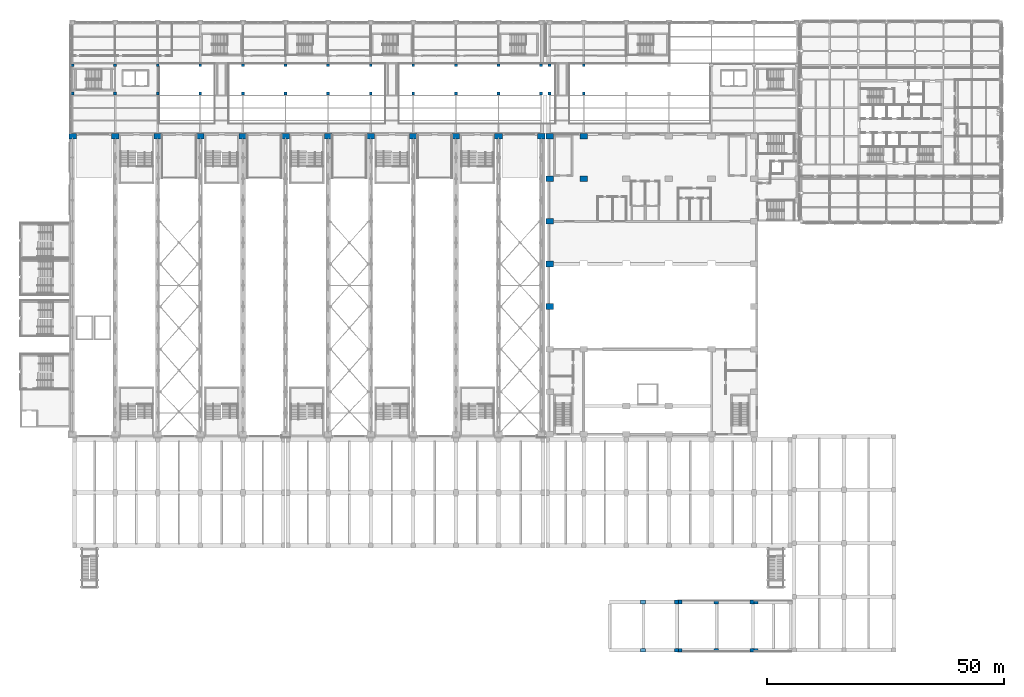
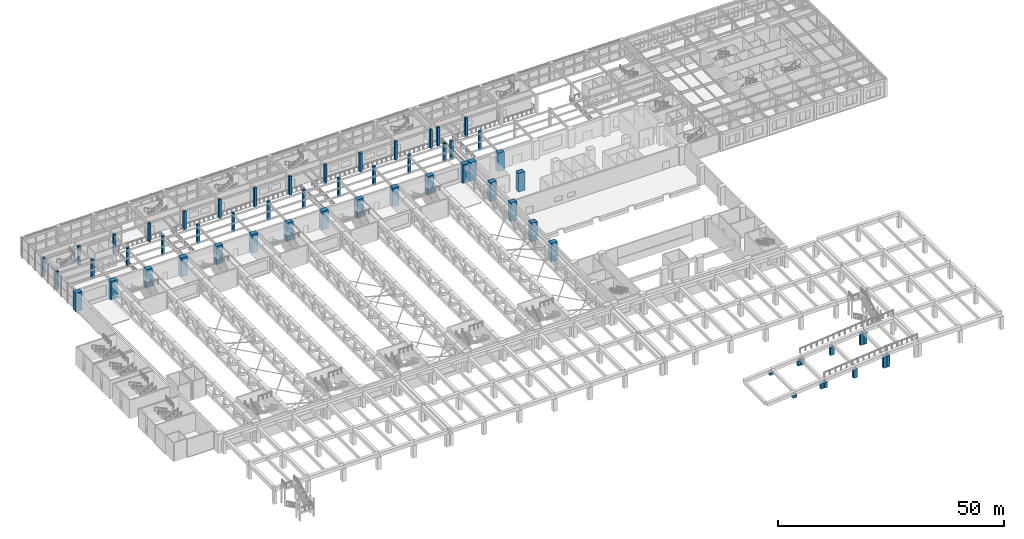
# One storey, part 2 of 76: 59 columns.
"""IFC4 building model written with IfcOpenShell, lengths in metres."""

from ifc_helpers import new_model, si_unit, direction, frame, origin, origin_2d, place, context, subcontext, project, spatial, rectangle, extrude, material, material_profile, profile_set, type_object, element, save


model = new_model("IFC4")

# Units and contexts
model_context = context("Model", 3, precision=1e-05, world=origin(), true_north=direction((0.0, 1.0)))
body_context = subcontext(model_context, "Body", "Model", "MODEL_VIEW")
ifc_project = project(units=[si_unit("LENGTHUNIT", "METRE"), si_unit("AREAUNIT", "SQUARE_METRE"), si_unit("VOLUMEUNIT", "CUBIC_METRE"), si_unit("PLANEANGLEUNIT", "RADIAN"), si_unit("MASSUNIT", "GRAM", prefix="KILO")], contexts=[model_context])

# Site, building, storey
site_placement = place(None, origin())
site = spatial("IfcSite", under=ifc_project, at=site_placement, CompositionType="ELEMENT")
building_placement = place(site_placement, origin())
building = spatial("IfcBuilding", under=site, at=building_placement, Name="Aravalli Gate Trade Fair Centre", CompositionType="ELEMENT")
storey_placement = place(building_placement, frame((0.0, 0.0, 10.0)))
storey = spatial("IfcBuildingStorey", under=building, at=storey_placement, Name="L02", CompositionType="ELEMENT", Elevation=10.0)

# Columns
ifc_material = material(Name="Concrete M45", Category="concrete")
ifc_material_profile_1 = material_profile(ifc_material, rectangle(XDim=1.60009765625, YDim=1.199951171875, at=origin_2d()), Name="RC 1600x1200")
ifc_profile_set_1 = profile_set([ifc_material_profile_1], Name="Concrete M45")
column_type_1 = type_object("IfcColumnType", Name="Congress RC column 1600 x 1200", PredefinedType="COLUMN", material=ifc_profile_set_1)
for number, where, z_axis, x_axis, name in (
    (1, (106.800048828125, 73.0, 0.0), (0.0, 0.0, 1.0), (1.0, 0.0, 0.0), "Congress column 106.8/73 L02"),
    (2, (106.800048828125, 82.0, 0.0), (0.0, 0.0, 1.0), (1.0, 0.0, 0.0), "Congress column 106.8/82 L02"),
    (3, (106.800048828125, 91.0, 0.0), (0.0, 0.0, 1.0), (1.0, 0.0, 0.0), "Congress column 106.8/91 L02"),
    (4, (106.800048828125, 100.0, 0.0), (0.0, 0.0, 1.0), (1.0, 0.0, 0.0), "Congress column 106.8/100 L02"),
    (5, (106.800048828125, 109.0, 0.0), (0.0, 0.0, 1.0), (1.0, 0.0, 0.0), "Congress column 106.8/109 L02"),
    (6, (114.0, 109.0, 0.0), (0.0, 0.0, 1.0), (1.0, 0.0, 0.0), "Congress column 114.0/109 L02"),
):
    element("IfcColumn", number, at=place(storey_placement, frame(where, z_axis=z_axis, x_axis=x_axis)), inside=storey, type_object=column_type_1, Name=name, PredefinedType="COLUMN", context=body_context, shape_type="SweptSolid", body=[
        extrude(rectangle(XDim=1.60009765625, YDim=1.199951171875, at=origin_2d()), origin(), (0.0, 0.0, 1.0), 5.0),
    ])
ifc_material_profile_2 = material_profile(ifc_material, rectangle(XDim=1.60009765625, YDim=1.199951171875, at=origin_2d()), Name="RC 1600x1200")
ifc_profile_set_2 = profile_set([ifc_material_profile_2], Name="Concrete M45")
column_type_2 = type_object("IfcColumnType", Name="Congress RC column 1600 x 1200, heavy stack", PredefinedType="COLUMN", material=ifc_profile_set_2)
column_placement = place(storey_placement, frame((114.0, 100.0, 0.0), z_axis=(0.0, 0.0, 1.0), x_axis=(1.0, 0.0, 0.0)))
element("IfcColumn", 7, at=column_placement, inside=storey, type_object=column_type_2, Name="Congress column 114.0/100 L02", PredefinedType="COLUMN", context=body_context, shape_type="SweptSolid", body=[
    extrude(rectangle(XDim=1.60009765625, YDim=1.199951171875, at=origin_2d()), origin(), (0.0, 0.0, 1.0), 5.0),
])
ifc_material_profile_3 = material_profile(ifc_material, rectangle(XDim=1.60009765625, YDim=1.199951171875, at=origin_2d()), Name="RC 1600x1200")
ifc_profile_set_3 = profile_set([ifc_material_profile_3], Name="Concrete M45")
column_type_3 = type_object("IfcColumnType", Name="Hall end-line spine column HC2", PredefinedType="COLUMN", material=ifc_profile_set_3)
for number, where, z_axis, x_axis, name in (
    (8, (6.0, 109.0, 0.0), (0.0, 0.0, 1.0), (1.0, 0.0, 0.0), "Spine column H1 L02"),
    (9, (105.0, 109.0, 0.0), (0.0, 0.0, 1.0), (1.0, 0.0, 0.0), "Spine column H12 L02"),
):
    element("IfcColumn", number, at=place(storey_placement, frame(where, z_axis=z_axis, x_axis=x_axis)), inside=storey, type_object=column_type_3, Name=name, PredefinedType="COLUMN", context=body_context, shape_type="SweptSolid", body=[
        extrude(rectangle(XDim=1.60009765625, YDim=1.199951171875, at=origin_2d()), origin(), (0.0, 0.0, 1.0), 5.0),
    ])
ifc_material_profile_4 = material_profile(ifc_material, rectangle(XDim=1.60009765625, YDim=1.199951171875, at=origin_2d()), Name="RC 1600x1200")
ifc_profile_set_4 = profile_set([ifc_material_profile_4], Name="Concrete M45")
column_type_4 = type_object("IfcColumnType", Name="Hall spine column HC1", PredefinedType="COLUMN", material=ifc_profile_set_4)
for number, where, z_axis, x_axis, name in (
    (10, (15.0, 109.0, 0.0), (0.0, 0.0, 1.0), (1.0, 0.0, 0.0), "Spine column H2 L02"),
    (11, (24.0, 109.0, 0.0), (0.0, 0.0, 1.0), (1.0, 0.0, 0.0), "Spine column H3 L02"),
    (12, (33.0, 109.0, 0.0), (0.0, 0.0, 1.0), (1.0, 0.0, 0.0), "Spine column H4 L02"),
    (13, (42.0, 109.0, 0.0), (0.0, 0.0, 1.0), (1.0, 0.0, 0.0), "Spine column H5 L02"),
    (14, (51.0, 109.0, 0.0), (0.0, 0.0, 1.0), (1.0, 0.0, 0.0), "Spine column H6 L02"),
    (15, (60.0, 109.0, 0.0), (0.0, 0.0, 1.0), (1.0, 0.0, 0.0), "Spine column H7 L02"),
    (16, (69.0, 109.0, 0.0), (0.0, 0.0, 1.0), (1.0, 0.0, 0.0), "Spine column H8 L02"),
    (17, (78.0, 109.0, 0.0), (0.0, 0.0, 1.0), (1.0, 0.0, 0.0), "Spine column H9 L02"),
    (18, (87.0, 109.0, 0.0), (0.0, 0.0, 1.0), (1.0, 0.0, 0.0), "Spine column H10 L02"),
    (19, (96.0, 109.0, 0.0), (0.0, 0.0, 1.0), (1.0, 0.0, 0.0), "Spine column H11 L02"),
):
    element("IfcColumn", number, at=place(storey_placement, frame(where, z_axis=z_axis, x_axis=x_axis)), inside=storey, type_object=column_type_4, Name=name, PredefinedType="COLUMN", context=body_context, shape_type="SweptSolid", body=[
        extrude(rectangle(XDim=1.60009765625, YDim=1.199951171875, at=origin_2d()), origin(), (0.0, 0.0, 1.0), 5.0),
    ])
ifc_material_profile_5 = material_profile(ifc_material, rectangle(XDim=0.60009765625, YDim=0.60009765625, at=origin_2d()), Name="RC column 600 x 600")
ifc_profile_set_5 = profile_set([ifc_material_profile_5], Name="Concrete M45")
column_type_5 = type_object("IfcColumnType", Name="RC column 600 x 600", PredefinedType="COLUMN", material=ifc_profile_set_5)
for number, where, z_axis, x_axis, name in (
    (20, (6.0, 118.0, 0.0), (0.0, 0.0, 1.0), (1.0, 0.0, 0.0), "Concourse column S01 L02"),
    (21, (6.0, 124.0, 0.0), (0.0, 0.0, 1.0), (1.0, 0.0, 0.0), "Concourse column N01 L02"),
    (22, (15.0, 118.0, 0.0), (0.0, 0.0, 1.0), (1.0, 0.0, 0.0), "Concourse column S02 L02"),
    (23, (15.0, 124.0, 0.0), (0.0, 0.0, 1.0), (1.0, 0.0, 0.0), "Concourse column N02 L02"),
    (24, (24.0, 118.0, 0.0), (0.0, 0.0, 1.0), (1.0, 0.0, 0.0), "Concourse column S03 L02"),
    (25, (24.0, 124.0, 0.0), (0.0, 0.0, 1.0), (1.0, 0.0, 0.0), "Concourse column N03 L02"),
    (26, (33.0, 118.0, 0.0), (0.0, 0.0, 1.0), (1.0, 0.0, 0.0), "Concourse column S04 L02"),
    (27, (33.0, 124.0, 0.0), (0.0, 0.0, 1.0), (1.0, 0.0, 0.0), "Concourse column N04 L02"),
    (28, (42.0, 118.0, 0.0), (0.0, 0.0, 1.0), (1.0, 0.0, 0.0), "Concourse column S05 L02"),
    (29, (42.0, 124.0, 0.0), (0.0, 0.0, 1.0), (1.0, 0.0, 0.0), "Concourse column N05 L02"),
    (30, (51.0, 118.0, 0.0), (0.0, 0.0, 1.0), (1.0, 0.0, 0.0), "Concourse column S06 L02"),
    (31, (51.0, 124.0, 0.0), (0.0, 0.0, 1.0), (1.0, 0.0, 0.0), "Concourse column N06 L02"),
    (32, (60.0, 118.0, 0.0), (0.0, 0.0, 1.0), (1.0, 0.0, 0.0), "Concourse column S07 L02"),
    (33, (60.0, 124.0, 0.0), (0.0, 0.0, 1.0), (1.0, 0.0, 0.0), "Concourse column N07 L02"),
    (34, (69.0, 118.0, 0.0), (0.0, 0.0, 1.0), (1.0, 0.0, 0.0), "Concourse column S08 L02"),
    (35, (69.0, 124.0, 0.0), (0.0, 0.0, 1.0), (1.0, 0.0, 0.0), "Concourse column N08 L02"),
    (36, (78.0, 118.0, 0.0), (0.0, 0.0, 1.0), (1.0, 0.0, 0.0), "Concourse column S09 L02"),
    (37, (78.0, 124.0, 0.0), (0.0, 0.0, 1.0), (1.0, 0.0, 0.0), "Concourse column N09 L02"),
    (38, (87.0, 118.0, 0.0), (0.0, 0.0, 1.0), (1.0, 0.0, 0.0), "Concourse column S10 L02"),
    (39, (87.0, 124.0, 0.0), (0.0, 0.0, 1.0), (1.0, 0.0, 0.0), "Concourse column N10 L02"),
    (40, (96.0, 118.0, 0.0), (0.0, 0.0, 1.0), (1.0, 0.0, 0.0), "Concourse column S11 L02"),
    (41, (96.0, 124.0, 0.0), (0.0, 0.0, 1.0), (1.0, 0.0, 0.0), "Concourse column N11 L02"),
    (42, (105.0, 118.0, 0.0), (0.0, 0.0, 1.0), (1.0, 0.0, 0.0), "Concourse column S12 L02"),
    (43, (105.0, 124.0, 0.0), (0.0, 0.0, 1.0), (1.0, 0.0, 0.0), "Concourse column N12 L02"),
    (44, (106.800048828125, 118.0, 0.0), (0.0, 0.0, 1.0), (1.0, 0.0, 0.0), "Concourse column S12A L02"),
    (45, (106.800048828125, 124.0, 0.0), (0.0, 0.0, 1.0), (1.0, 0.0, 0.0), "Concourse column N12A L02"),
    (46, (114.0, 118.0, 0.0), (0.0, 0.0, 1.0), (1.0, 0.0, 0.0), "Concourse column S13 L02"),
    (47, (114.0, 124.0, 0.0), (0.0, 0.0, 1.0), (1.0, 0.0, 0.0), "Concourse column N13 L02"),
):
    element("IfcColumn", number, at=place(storey_placement, frame(where, z_axis=z_axis, x_axis=x_axis)), inside=storey, type_object=column_type_5, Name=name, PredefinedType="COLUMN", context=body_context, shape_type="SweptSolid", body=[
        extrude(rectangle(XDim=0.60009765625, YDim=0.60009765625, at=origin_2d()), origin(), (0.0, 0.0, 1.0), 5.0),
    ])
ifc_material_profile_6 = material_profile(ifc_material, rectangle(XDim=1.0, YDim=0.800048828125, at=origin_2d()), Name="Ramp column RC 1000 x 800")
ifc_profile_set_6 = profile_set([ifc_material_profile_6], Name="Concrete M45")
column_type_6 = type_object("IfcColumnType", Name="Ramp column RC 1000 x 800", PredefinedType="COLUMN", material=ifc_profile_set_6)
for number, where, z_axis, x_axis, name in (
    (48, (126.548095703125, 0.39990234375, 0.0), (0.0, 0.0, 1.0), (1.0, 0.0, 0.0), "Ramp column col.ramp.RA1-F2.4.5S L02"),
    (49, (126.548095703125, 10.60009765625, 0.0), (0.0, 0.0, 1.0), (1.0, 0.0, 0.0), "Ramp column col.ramp.RA1-F2.4.5N L02"),
):
    element("IfcColumn", number, at=place(storey_placement, frame(where, z_axis=z_axis, x_axis=x_axis)), inside=storey, type_object=column_type_6, Name=name, PredefinedType="COLUMN", context=body_context, shape_type="SweptSolid", body=[
        extrude(rectangle(XDim=1.0, YDim=0.800048828125, at=origin_2d()), origin(), (0.0, 0.0, 1.0), 0.707275390625),
    ])
for number, where, z_axis, x_axis, name in (
    (50, (142.0, 0.39990234375, 0.0), (0.0, 0.0, 1.0), (1.0, 0.0, 0.0), "Ramp column col.ramp.RA1-F2.5.2S L02"),
    (51, (142.0, 10.60009765625, 0.0), (0.0, 0.0, 1.0), (1.0, 0.0, 0.0), "Ramp column col.ramp.RA1-F2.5.2N L02"),
):
    element("IfcColumn", number, at=place(storey_placement, frame(where, z_axis=z_axis, x_axis=x_axis)), inside=storey, type_object=column_type_6, Name=name, PredefinedType="COLUMN", context=body_context, shape_type="SweptSolid", body=[
        extrude(rectangle(XDim=1.0, YDim=0.800048828125, at=origin_2d()), origin(), (0.0, 0.0, 1.0), 2.25244140625),
    ])
ifc_material_profile_7 = material_profile(ifc_material, rectangle(XDim=0.800048828125, YDim=0.800048828125, at=origin_2d()), Name="Ramp column RC 800 x 800")
ifc_profile_set_7 = profile_set([ifc_material_profile_7], Name="Concrete M45")
column_type_7 = type_object("IfcColumnType", Name="Ramp column RC 800 x 800", PredefinedType="COLUMN", material=ifc_profile_set_7)
for number, where, z_axis, x_axis, name in (
    (52, (133.580078125, 0.39990234375, 0.0), (0.0, 0.0, 1.0), (1.0, 0.0, 0.0), "Ramp column col.ramp.RA1-F2.4.6S L02"),
    (53, (133.580078125, 10.60009765625, 0.0), (0.0, 0.0, 1.0), (1.0, 0.0, 0.0), "Ramp column col.ramp.RA1-F2.4.6N L02"),
):
    element("IfcColumn", number, at=place(storey_placement, frame(where, z_axis=z_axis, x_axis=x_axis)), inside=storey, type_object=column_type_7, Name=name, PredefinedType="COLUMN", context=body_context, shape_type="SweptSolid", body=[
        extrude(rectangle(XDim=0.800048828125, YDim=0.800048828125, at=origin_2d()), origin(), (0.0, 0.0, 1.0), 1.410400390625),
    ])
for number, where, z_axis, x_axis, name in (
    (54, (134.419921875, 0.39990234375, 0.0), (0.0, 0.0, 1.0), (1.0, 0.0, 0.0), "Ramp column col.ramp.RA1-F2.5.1S L02"),
    (55, (134.419921875, 10.60009765625, 0.0), (0.0, 0.0, 1.0), (1.0, 0.0, 0.0), "Ramp column col.ramp.RA1-F2.5.1N L02"),
):
    element("IfcColumn", number, at=place(storey_placement, frame(where, z_axis=z_axis, x_axis=x_axis)), inside=storey, type_object=column_type_7, Name=name, PredefinedType="COLUMN", context=body_context, shape_type="SweptSolid", body=[
        extrude(rectangle(XDim=0.800048828125, YDim=0.800048828125, at=origin_2d()), origin(), (0.0, 0.0, 1.0), 1.529296875),
    ])
for number, where, z_axis, x_axis, name in (
    (56, (149.580078125, 0.39990234375, 0.0), (0.0, 0.0, 1.0), (1.0, 0.0, 0.0), "Ramp column col.ramp.RA1-F2.5.3S L02"),
    (57, (149.580078125, 10.60009765625, 0.0), (0.0, 0.0, 1.0), (1.0, 0.0, 0.0), "Ramp column col.ramp.RA1-F2.5.3N L02"),
):
    element("IfcColumn", number, at=place(storey_placement, frame(where, z_axis=z_axis, x_axis=x_axis)), inside=storey, type_object=column_type_7, Name=name, PredefinedType="COLUMN", context=body_context, shape_type="SweptSolid", body=[
        extrude(rectangle(XDim=0.800048828125, YDim=0.800048828125, at=origin_2d()), origin(), (0.0, 0.0, 1.0), 3.010498046875),
    ])
for number, where, z_axis, x_axis, name in (
    (58, (150.419921875, 0.39990234375, 0.0), (0.0, 0.0, 1.0), (1.0, 0.0, 0.0), "Ramp column col.ramp.RA1-F3.1S L02"),
    (59, (150.419921875, 10.60009765625, 0.0), (0.0, 0.0, 1.0), (1.0, 0.0, 0.0), "Ramp column col.ramp.RA1-F3.1N L02"),
):
    element("IfcColumn", number, at=place(storey_placement, frame(where, z_axis=z_axis, x_axis=x_axis)), inside=storey, type_object=column_type_7, Name=name, PredefinedType="COLUMN", context=body_context, shape_type="SweptSolid", body=[
        extrude(rectangle(XDim=0.800048828125, YDim=0.800048828125, at=origin_2d()), origin(), (0.0, 0.0, 1.0), 3.11279296875),
    ])

save(model, "model.ifc")
